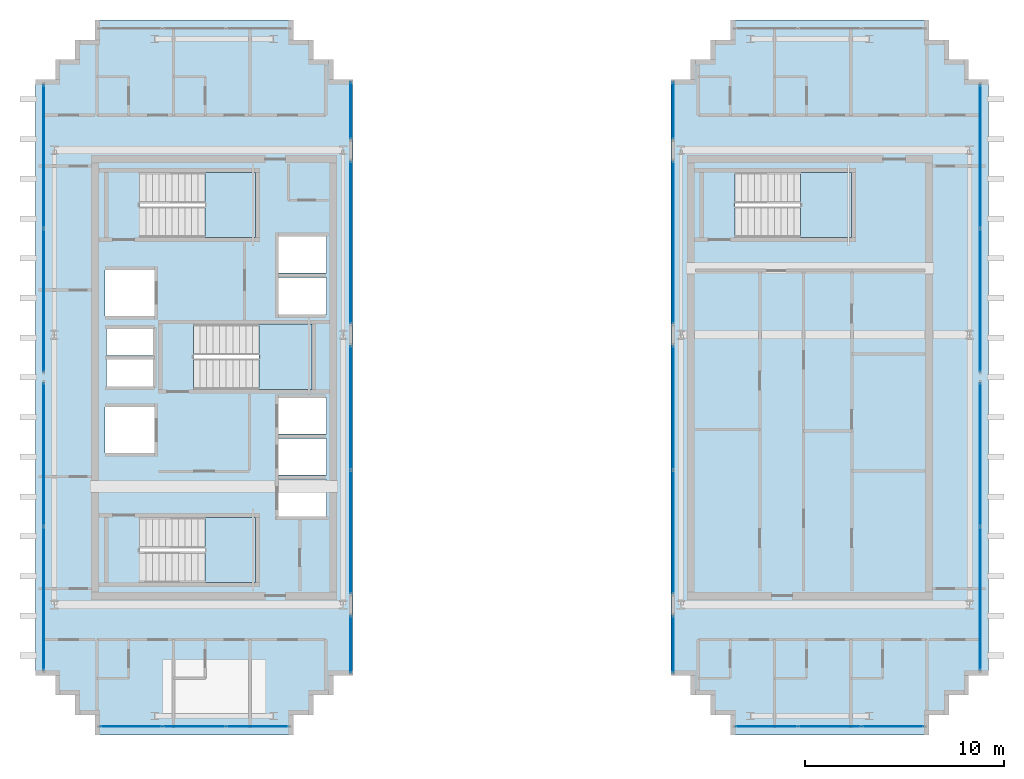
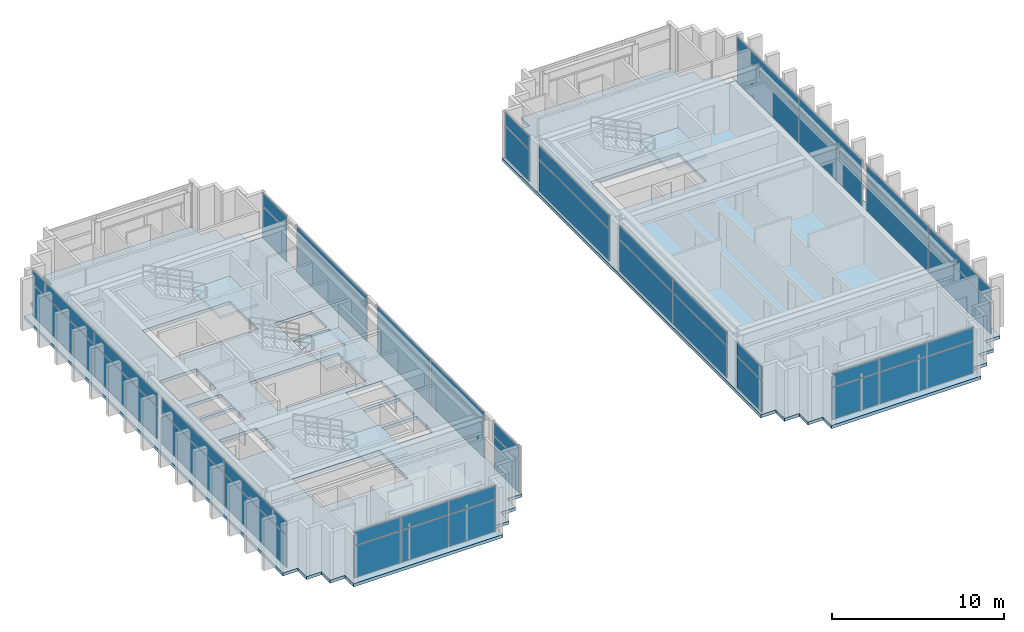
# One storey, part 18 of 25: 48 plates, 6 slabs, 18 elements without a shape of their own.
"""IFC4 building model written with IfcOpenShell, lengths in metres."""

from ifc_helpers import new_model, si_unit, direction, frame, origin, origin_2d, place, context, subcontext, project, spatial, polyline, rectangle, outline, extrude, source, transform, mapped, material, layer, layer_set, type_object, element, aggregate, save


model = new_model("IFC4")

# Units and contexts
model_context = context("Model", 3, precision=1e-05, world=origin(), true_north=direction((0.0, 1.0)))
body_context = subcontext(model_context, "Body", "Model", "MODEL_VIEW")
ifc_project = project(units=[si_unit("LENGTHUNIT", "METRE"), si_unit("AREAUNIT", "SQUARE_METRE"), si_unit("VOLUMEUNIT", "CUBIC_METRE"), si_unit("PLANEANGLEUNIT", "RADIAN"), si_unit("MASSUNIT", "GRAM", prefix="KILO")], contexts=[model_context])

# Site, building, storey
site_placement = place(None, origin())
site = spatial("IfcSite", under=ifc_project, at=site_placement, CompositionType="ELEMENT")
building_placement = place(site_placement, origin())
building = spatial("IfcBuilding", under=site, at=building_placement, Name="Ocotamira Hotel", CompositionType="ELEMENT")
storey_placement = place(building_placement, frame((0.0, 0.0, 265.199951171875)))
storey = spatial("IfcBuildingStorey", under=building, at=storey_placement, Name="L67", CompositionType="ELEMENT", Elevation=265.199951171875)

# Stair, slab
ifc_material_1 = material(Name="Concrete C40/50", Category="concrete")
stair_type = type_object("IfcStairType", Name="ST-CORE-1560", PredefinedType="HALF_TURN_STAIR", material=ifc_material_1)
stair_1_placement = place(storey_placement, origin())
stair_1 = element("IfcStair", 1, at=stair_1_placement, inside=storey, type_object=stair_type, Name="L67 Exit Stair ST-1", PredefinedType="HALF_TURN_STAIR")
ifc_layer_1 = layer(ifc_material_1, 0.199951171875)
ifc_layer_set_1 = layer_set([ifc_layer_1], Name="Concrete C40/50")
slab_type_1 = type_object("IfcSlabType", Name="SLB-LAND-200", PredefinedType="LANDING", material=ifc_layer_set_1)
slab_1_placement = place(storey_placement, frame((0.0, 0.0, 1.60009765625)))
slab_1 = element("IfcSlab", 2, at=slab_1_placement, type_object=slab_type_1, Name="ST-1 landing 1", PredefinedType="LANDING", context=body_context, shape_type="SweptSolid", body=[
    extrude(outline(polyline([(16.530029296875, 15.669921875), (19.090087890625, 15.669921875), (19.090087890625, 18.949951171875), (16.530029296875, 18.949951171875), (16.530029296875, 15.669921875)])), origin(), (0.0, 0.0, 1.0), 0.199951171875),
])
aggregate(stair_1, [slab_1])

stair_2_placement = place(storey_placement, origin())
stair_2 = element("IfcStair", 3, at=stair_2_placement, inside=storey, type_object=stair_type, Name="L67 Exit Stair ST-2", PredefinedType="HALF_TURN_STAIR")
slab_2_placement = place(storey_placement, frame((0.0, 0.0, 1.60009765625)))
slab_2 = element("IfcSlab", 4, at=slab_2_placement, type_object=slab_type_1, Name="ST-2 landing 1", PredefinedType="LANDING", context=body_context, shape_type="SweptSolid", body=[
    extrude(outline(polyline([(16.530029296875, 33.050048828125), (19.090087890625, 33.050048828125), (19.090087890625, 36.330078125), (16.530029296875, 36.330078125), (16.530029296875, 33.050048828125)])), origin(), (0.0, 0.0, 1.0), 0.199951171875),
])
aggregate(stair_2, [slab_2])

stair_3_placement = place(storey_placement, origin())
stair_3 = element("IfcStair", 5, at=stair_3_placement, inside=storey, type_object=stair_type, Name="L67 Exit Stair ST-3", PredefinedType="HALF_TURN_STAIR")
slab_3_placement = place(storey_placement, frame((0.0, 0.0, 1.60009765625)))
slab_3 = element("IfcSlab", 6, at=slab_3_placement, type_object=slab_type_1, Name="ST-3 landing 1", PredefinedType="LANDING", context=body_context, shape_type="SweptSolid", body=[
    extrude(outline(polyline([(19.260009765625, 25.39990234375), (21.919921875, 25.39990234375), (21.919921875, 28.679931640625), (19.260009765625, 28.679931640625), (19.260009765625, 25.39990234375)])), origin(), (0.0, 0.0, 1.0), 0.199951171875),
])
aggregate(stair_3, [slab_3])

stair_4_placement = place(storey_placement, origin())
stair_4 = element("IfcStair", 7, at=stair_4_placement, inside=storey, type_object=stair_type, Name="L67 Exit Stair ST-4", PredefinedType="HALF_TURN_STAIR")
slab_4_placement = place(storey_placement, frame((0.0, 0.0, 1.60009765625)))
slab_4 = element("IfcSlab", 8, at=slab_4_placement, type_object=slab_type_1, Name="ST-4 landing 1", PredefinedType="LANDING", context=body_context, shape_type="SweptSolid", body=[
    extrude(outline(polyline([(46.530029296875, 33.050048828125), (49.090087890625, 33.050048828125), (49.090087890625, 36.330078125), (46.530029296875, 36.330078125), (46.530029296875, 33.050048828125)])), origin(), (0.0, 0.0, 1.0), 0.199951171875),
])
aggregate(stair_4, [slab_4])

# Slabs
ifc_layer_2 = layer(ifc_material_1, 0.219970703125)
ifc_layer_set_2 = layer_set([ifc_layer_2], Name="Concrete C40/50")
slab_type_2 = type_object("IfcSlabType", Name="SLB-UPP-220", PredefinedType="FLOOR", material=ifc_layer_set_2)
slab_5_placement = place(storey_placement, frame((0.0, 0.0, -0.219970703125)))
element("IfcSlab", 9, at=slab_5_placement, inside=storey, type_object=slab_type_2, Name="L67 Structural Floor Slab-P1", PredefinedType="FLOOR", context=body_context, shape_type="SweptSolid", body=[
    extrude(outline(polyline([(11.0, 8.0), (21.0, 8.0), (21.0, 9.0), (22.0, 9.0), (22.0, 10.0), (23.0, 10.0), (23.0, 11.0), (24.0, 11.0), (24.0, 41.0), (23.0, 41.0), (23.0, 42.0), (22.0, 42.0), (22.0, 43.0), (21.0, 43.0), (21.0, 44.0), (11.0, 44.0), (11.0, 43.0), (10.0, 43.0), (10.0, 42.0), (9.0, 42.0), (9.0, 41.0), (8.0, 41.0), (8.0, 11.0), (9.0, 11.0), (9.0, 10.0), (10.0, 10.0), (10.0, 9.0), (11.0, 9.0), (11.0, 8.0)]), holes=[polyline([(13.22998046875, 15.669921875), (19.090087890625, 15.669921875), (19.090087890625, 18.949951171875), (13.22998046875, 18.949951171875), (13.22998046875, 15.669921875)]), polyline([(13.22998046875, 33.050048828125), (19.090087890625, 33.050048828125), (19.090087890625, 36.330078125), (13.22998046875, 36.330078125), (13.22998046875, 33.050048828125)]), polyline([(15.9599609375, 25.39990234375), (21.919921875, 25.39990234375), (21.919921875, 28.679931640625), (15.9599609375, 28.679931640625), (15.9599609375, 25.39990234375)]), polyline([(20.25, 19.0), (22.659912109375, 19.0), (22.659912109375, 20.85009765625), (20.25, 20.85009765625), (20.25, 19.0)]), polyline([(20.25, 21.080078125), (22.659912109375, 21.080078125), (22.659912109375, 22.929931640625), (20.25, 22.929931640625), (20.25, 21.080078125)]), polyline([(20.25, 23.159912109375), (22.659912109375, 23.159912109375), (22.659912109375, 24.9599609375), (20.25, 24.9599609375), (20.25, 23.159912109375)]), polyline([(20.25, 29.179931640625), (22.659912109375, 29.179931640625), (22.659912109375, 31.030029296875), (20.25, 31.030029296875), (20.25, 29.179931640625)]), polyline([(20.25, 31.260009765625), (22.659912109375, 31.260009765625), (22.659912109375, 33.110107421875), (20.25, 33.110107421875), (20.25, 31.260009765625)]), polyline([(11.5, 22.199951171875), (14.0, 22.199951171875), (14.0, 24.5), (11.5, 24.5), (11.5, 22.199951171875)]), polyline([(11.5, 29.10009765625), (14.0, 29.10009765625), (14.0, 31.39990234375), (11.5, 31.39990234375), (11.5, 29.10009765625)]), polyline([(11.580078125, 25.550048828125), (13.919921875, 25.550048828125), (13.919921875, 26.89990234375), (11.580078125, 26.89990234375), (11.580078125, 25.550048828125)]), polyline([(11.580078125, 27.10009765625), (13.919921875, 27.10009765625), (13.919921875, 28.449951171875), (11.580078125, 28.449951171875), (11.580078125, 27.10009765625)])]), origin(), (0.0, 0.0, 1.0), 0.219970703125),
])
slab_6_placement = place(storey_placement, frame((0.0, 0.0, -0.219970703125)))
element("IfcSlab", 10, at=slab_6_placement, inside=storey, type_object=slab_type_2, Name="L67 Structural Floor Slab-P2", PredefinedType="FLOOR", context=body_context, shape_type="SweptSolid", body=[
    extrude(outline(polyline([(43.0, 8.0), (53.0, 8.0), (53.0, 9.0), (54.0, 9.0), (54.0, 10.0), (55.0, 10.0), (55.0, 11.0), (56.0, 11.0), (56.0, 41.0), (55.0, 41.0), (55.0, 42.0), (54.0, 42.0), (54.0, 43.0), (53.0, 43.0), (53.0, 44.0), (43.0, 44.0), (43.0, 43.0), (42.0, 43.0), (42.0, 42.0), (41.0, 42.0), (41.0, 41.0), (40.0, 41.0), (40.0, 11.0), (41.0, 11.0), (41.0, 10.0), (42.0, 10.0), (42.0, 9.0), (43.0, 9.0), (43.0, 8.0)]), holes=[polyline([(43.22998046875, 33.050048828125), (49.090087890625, 33.050048828125), (49.090087890625, 36.330078125), (43.22998046875, 36.330078125), (43.22998046875, 33.050048828125)])]), origin(), (0.0, 0.0, 1.0), 0.219970703125),
])

# Curtain wall, plates
ifc_material_2 = material(Name="Anodised pale-metal aluminium and solar glass", Category="aluminium")
ifc_layer_3 = layer(ifc_material_2, 0.2099609375)
ifc_layer_set_3 = layer_set([ifc_layer_3], Name="Anodised pale-metal aluminium and solar glass")
curtain_wall_type = type_object("IfcCurtainWallType", Name="CW-SYS7-PEAK", PredefinedType="NOTDEFINED", material=ifc_layer_set_3)
curtain_wall_1_placement = place(storey_placement, origin())
curtain_wall_1 = element("IfcCurtainWall", 11, at=curtain_wall_1_placement, inside=storey, type_object=curtain_wall_type, Name="L67 Curtain Wall CW-7 CW-L67-WS", PredefinedType="NOTDEFINED")
ifc_material_3 = material(Name="Double-silver low-E insulated solar glass", Category="glass")
ifc_layer_4 = layer(ifc_material_3, 0.031982421875)
ifc_layer_set_4 = layer_set([ifc_layer_4], Name="Double-silver low-E insulated solar glass")
plate_type = type_object("IfcPlateType", Name="CWP-VISION-32", PredefinedType="CURTAIN_PANEL", material=ifc_layer_set_4)
shared_shape_1 = source(origin(), body_context, "Body", "SweptSolid", [
    extrude(rectangle(XDim=3.080078125, YDim=0.031982421875, at=origin_2d()), origin(), (0.0, 0.0, 1.0), 2.237548828125),
])
plate_1_placement = place(storey_placement, frame((12.820068359375, 8.419921875, 0.0751953125), z_axis=(0.0, 0.0, 1.0), x_axis=(1.0, 0.0, 0.0)))
plate_1 = element("IfcPlate", 12, at=plate_1_placement, type_object=plate_type, Name="CW-7 panel 1.1", PredefinedType="CURTAIN_PANEL", context=body_context, shape_type="MappedRepresentation", body=[
    mapped(shared_shape_1, transform((0.0, 0.0, 0.0), scale=1.0)),
])
plate_2_placement = place(storey_placement, frame((19.179931640625, 8.419921875, 0.0751953125), z_axis=(0.0, 0.0, 1.0), x_axis=(1.0, 0.0, 0.0)))
plate_2 = element("IfcPlate", 13, at=plate_2_placement, type_object=plate_type, Name="CW-7 panel 3.1", PredefinedType="CURTAIN_PANEL", context=body_context, shape_type="MappedRepresentation", body=[
    mapped(shared_shape_1, transform((0.0, 0.0, 0.0), scale=1.0)),
])

curtain_wall_2_placement = place(storey_placement, origin())
curtain_wall_2 = element("IfcCurtainWall", 14, at=curtain_wall_2_placement, inside=storey, type_object=curtain_wall_type, Name="L67 Curtain Wall CW-7 CW-L67-ES", PredefinedType="NOTDEFINED")
plate_3_placement = place(storey_placement, frame((44.820068359375, 8.419921875, 0.0751953125), z_axis=(0.0, 0.0, 1.0), x_axis=(1.0, 0.0, 0.0)))
plate_3 = element("IfcPlate", 15, at=plate_3_placement, type_object=plate_type, Name="CW-7 panel 1.1", PredefinedType="CURTAIN_PANEL", context=body_context, shape_type="MappedRepresentation", body=[
    mapped(shared_shape_1, transform((0.0, 0.0, 0.0), scale=1.0)),
])
plate_4_placement = place(storey_placement, frame((51.179931640625, 8.419921875, 0.0751953125), z_axis=(0.0, 0.0, 1.0), x_axis=(1.0, 0.0, 0.0)))
plate_4 = element("IfcPlate", 16, at=plate_4_placement, type_object=plate_type, Name="CW-7 panel 3.1", PredefinedType="CURTAIN_PANEL", context=body_context, shape_type="MappedRepresentation", body=[
    mapped(shared_shape_1, transform((0.0, 0.0, 0.0), scale=1.0)),
])

# Plate
shared_shape_2 = source(origin(), body_context, "Body", "SweptSolid", [
    extrude(rectangle(XDim=3.080078125, YDim=0.031982421875, at=origin_2d()), origin(), (0.0, 0.0, 1.0), 0.91748046875),
])
plate_5_placement = place(storey_placement, frame((12.820068359375, 8.419921875, 2.387451171875), z_axis=(0.0, 0.0, 1.0), x_axis=(1.0, 0.0, 0.0)))
plate_5 = element("IfcPlate", 17, at=plate_5_placement, type_object=plate_type, Name="CW-7 panel 1.2", PredefinedType="CURTAIN_PANEL", context=body_context, shape_type="MappedRepresentation", body=[
    mapped(shared_shape_2, transform((0.0, 0.0, 0.0), scale=1.0)),
])

plate_6_placement = place(storey_placement, frame((19.179931640625, 8.419921875, 2.387451171875), z_axis=(0.0, 0.0, 1.0), x_axis=(1.0, 0.0, 0.0)))
plate_6 = element("IfcPlate", 18, at=plate_6_placement, type_object=plate_type, Name="CW-7 panel 3.2", PredefinedType="CURTAIN_PANEL", context=body_context, shape_type="MappedRepresentation", body=[
    mapped(shared_shape_2, transform((0.0, 0.0, 0.0), scale=1.0)),
])

plate_7_placement = place(storey_placement, frame((44.820068359375, 8.419921875, 2.387451171875), z_axis=(0.0, 0.0, 1.0), x_axis=(1.0, 0.0, 0.0)))
plate_7 = element("IfcPlate", 19, at=plate_7_placement, type_object=plate_type, Name="CW-7 panel 1.2", PredefinedType="CURTAIN_PANEL", context=body_context, shape_type="MappedRepresentation", body=[
    mapped(shared_shape_2, transform((0.0, 0.0, 0.0), scale=1.0)),
])

plate_8_placement = place(storey_placement, frame((51.179931640625, 8.419921875, 2.387451171875), z_axis=(0.0, 0.0, 1.0), x_axis=(1.0, 0.0, 0.0)))
plate_8 = element("IfcPlate", 20, at=plate_8_placement, type_object=plate_type, Name="CW-7 panel 3.2", PredefinedType="CURTAIN_PANEL", context=body_context, shape_type="MappedRepresentation", body=[
    mapped(shared_shape_2, transform((0.0, 0.0, 0.0), scale=1.0)),
])

shared_shape_3 = source(origin(), body_context, "Body", "SweptSolid", [
    extrude(rectangle(XDim=3.1201171875, YDim=0.031982421875, at=origin_2d()), origin(), (0.0, 0.0, 1.0), 2.237548828125),
])
plate_9_placement = place(storey_placement, frame((16.0, 8.419921875, 0.0751953125), z_axis=(0.0, 0.0, 1.0), x_axis=(1.0, 0.0, 0.0)))
plate_9 = element("IfcPlate", 21, at=plate_9_placement, type_object=plate_type, Name="CW-7 panel 2.1", PredefinedType="CURTAIN_PANEL", context=body_context, shape_type="MappedRepresentation", body=[
    mapped(shared_shape_3, transform((0.0, 0.0, 0.0), scale=1.0)),
])

plate_10_placement = place(storey_placement, frame((48.0, 8.419921875, 0.0751953125), z_axis=(0.0, 0.0, 1.0), x_axis=(1.0, 0.0, 0.0)))
plate_10 = element("IfcPlate", 22, at=plate_10_placement, type_object=plate_type, Name="CW-7 panel 2.1", PredefinedType="CURTAIN_PANEL", context=body_context, shape_type="MappedRepresentation", body=[
    mapped(shared_shape_3, transform((0.0, 0.0, 0.0), scale=1.0)),
])

shared_shape_4 = source(origin(), body_context, "Body", "SweptSolid", [
    extrude(rectangle(XDim=3.1201171875, YDim=0.031982421875, at=origin_2d()), origin(), (0.0, 0.0, 1.0), 0.91748046875),
])
plate_11_placement = place(storey_placement, frame((16.0, 8.419921875, 2.387451171875), z_axis=(0.0, 0.0, 1.0), x_axis=(1.0, 0.0, 0.0)))
plate_11 = element("IfcPlate", 23, at=plate_11_placement, type_object=plate_type, Name="CW-7 panel 2.2", PredefinedType="CURTAIN_PANEL", context=body_context, shape_type="MappedRepresentation", body=[
    mapped(shared_shape_4, transform((0.0, 0.0, 0.0), scale=1.0)),
])

aggregate(curtain_wall_1, [plate_1, plate_5, plate_9, plate_11, plate_2, plate_6])

plate_12_placement = place(storey_placement, frame((48.0, 8.419921875, 2.387451171875), z_axis=(0.0, 0.0, 1.0), x_axis=(1.0, 0.0, 0.0)))
plate_12 = element("IfcPlate", 24, at=plate_12_placement, type_object=plate_type, Name="CW-7 panel 2.2", PredefinedType="CURTAIN_PANEL", context=body_context, shape_type="MappedRepresentation", body=[
    mapped(shared_shape_4, transform((0.0, 0.0, 0.0), scale=1.0)),
])

aggregate(curtain_wall_2, [plate_3, plate_7, plate_10, plate_12, plate_4, plate_8])

# Curtain wall, plates
curtain_wall_3_placement = place(storey_placement, origin())
curtain_wall_3 = element("IfcCurtainWall", 25, at=curtain_wall_3_placement, inside=storey, type_object=curtain_wall_type, Name="L67 Curtain Wall CW-7 CW-L67-WO1", PredefinedType="NOTDEFINED")
shared_shape_5 = source(origin(), body_context, "Body", "SweptSolid", [
    extrude(rectangle(XDim=7.179931640625, YDim=0.031982421875, at=origin_2d()), origin(), (0.0, 0.0, 1.0), 2.237548828125),
])
plate_13_placement = place(storey_placement, frame((8.419921875, 14.8701171875, 0.0751953125), z_axis=(0.0, 0.0, 1.0), x_axis=(0.0, 1.0, 0.0)))
plate_13 = element("IfcPlate", 26, at=plate_13_placement, type_object=plate_type, Name="CW-7 panel 1.1", PredefinedType="CURTAIN_PANEL", context=body_context, shape_type="MappedRepresentation", body=[
    mapped(shared_shape_5, transform((0.0, 0.0, 0.0), scale=1.0)),
])
plate_14_placement = place(storey_placement, frame((8.419921875, 22.1298828125, 0.0751953125), z_axis=(0.0, 0.0, 1.0), x_axis=(0.0, 1.0, 0.0)))
plate_14 = element("IfcPlate", 27, at=plate_14_placement, type_object=plate_type, Name="CW-7 panel 2.1", PredefinedType="CURTAIN_PANEL", context=body_context, shape_type="MappedRepresentation", body=[
    mapped(shared_shape_5, transform((0.0, 0.0, 0.0), scale=1.0)),
])

curtain_wall_4_placement = place(storey_placement, origin())
curtain_wall_4 = element("IfcCurtainWall", 28, at=curtain_wall_4_placement, inside=storey, type_object=curtain_wall_type, Name="L67 Curtain Wall CW-7 CW-L67-WO2", PredefinedType="NOTDEFINED")
plate_15_placement = place(storey_placement, frame((8.419921875, 29.8701171875, 0.0751953125), z_axis=(0.0, 0.0, 1.0), x_axis=(0.0, 1.0, 0.0)))
plate_15 = element("IfcPlate", 29, at=plate_15_placement, type_object=plate_type, Name="CW-7 panel 1.1", PredefinedType="CURTAIN_PANEL", context=body_context, shape_type="MappedRepresentation", body=[
    mapped(shared_shape_5, transform((0.0, 0.0, 0.0), scale=1.0)),
])
plate_16_placement = place(storey_placement, frame((8.419921875, 37.1298828125, 0.0751953125), z_axis=(0.0, 0.0, 1.0), x_axis=(0.0, 1.0, 0.0)))
plate_16 = element("IfcPlate", 30, at=plate_16_placement, type_object=plate_type, Name="CW-7 panel 2.1", PredefinedType="CURTAIN_PANEL", context=body_context, shape_type="MappedRepresentation", body=[
    mapped(shared_shape_5, transform((0.0, 0.0, 0.0), scale=1.0)),
])

curtain_wall_5_placement = place(storey_placement, origin())
curtain_wall_5 = element("IfcCurtainWall", 31, at=curtain_wall_5_placement, inside=storey, type_object=curtain_wall_type, Name="L67 Curtain Wall CW-7 CW-L67-EO1", PredefinedType="NOTDEFINED")
plate_17_placement = place(storey_placement, frame((55.580078125, 14.8701171875, 0.0751953125), z_axis=(0.0, 0.0, 1.0), x_axis=(0.0, 1.0, 0.0)))
plate_17 = element("IfcPlate", 32, at=plate_17_placement, type_object=plate_type, Name="CW-7 panel 1.1", PredefinedType="CURTAIN_PANEL", context=body_context, shape_type="MappedRepresentation", body=[
    mapped(shared_shape_5, transform((0.0, 0.0, 0.0), scale=1.0)),
])
plate_18_placement = place(storey_placement, frame((55.580078125, 22.1298828125, 0.0751953125), z_axis=(0.0, 0.0, 1.0), x_axis=(0.0, 1.0, 0.0)))
plate_18 = element("IfcPlate", 33, at=plate_18_placement, type_object=plate_type, Name="CW-7 panel 2.1", PredefinedType="CURTAIN_PANEL", context=body_context, shape_type="MappedRepresentation", body=[
    mapped(shared_shape_5, transform((0.0, 0.0, 0.0), scale=1.0)),
])

curtain_wall_6_placement = place(storey_placement, origin())
curtain_wall_6 = element("IfcCurtainWall", 34, at=curtain_wall_6_placement, inside=storey, type_object=curtain_wall_type, Name="L67 Curtain Wall CW-7 CW-L67-EO2", PredefinedType="NOTDEFINED")
plate_19_placement = place(storey_placement, frame((55.580078125, 29.8701171875, 0.0751953125), z_axis=(0.0, 0.0, 1.0), x_axis=(0.0, 1.0, 0.0)))
plate_19 = element("IfcPlate", 35, at=plate_19_placement, type_object=plate_type, Name="CW-7 panel 1.1", PredefinedType="CURTAIN_PANEL", context=body_context, shape_type="MappedRepresentation", body=[
    mapped(shared_shape_5, transform((0.0, 0.0, 0.0), scale=1.0)),
])
plate_20_placement = place(storey_placement, frame((55.580078125, 37.1298828125, 0.0751953125), z_axis=(0.0, 0.0, 1.0), x_axis=(0.0, 1.0, 0.0)))
plate_20 = element("IfcPlate", 36, at=plate_20_placement, type_object=plate_type, Name="CW-7 panel 2.1", PredefinedType="CURTAIN_PANEL", context=body_context, shape_type="MappedRepresentation", body=[
    mapped(shared_shape_5, transform((0.0, 0.0, 0.0), scale=1.0)),
])

# Plate
shared_shape_6 = source(origin(), body_context, "Body", "SweptSolid", [
    extrude(rectangle(XDim=7.179931640625, YDim=0.031982421875, at=origin_2d()), origin(), (0.0, 0.0, 1.0), 0.91748046875),
])
plate_21_placement = place(storey_placement, frame((8.419921875, 14.8701171875, 2.387451171875), z_axis=(0.0, 0.0, 1.0), x_axis=(0.0, 1.0, 0.0)))
plate_21 = element("IfcPlate", 37, at=plate_21_placement, type_object=plate_type, Name="CW-7 panel 1.2", PredefinedType="CURTAIN_PANEL", context=body_context, shape_type="MappedRepresentation", body=[
    mapped(shared_shape_6, transform((0.0, 0.0, 0.0), scale=1.0)),
])

plate_22_placement = place(storey_placement, frame((8.419921875, 22.1298828125, 2.387451171875), z_axis=(0.0, 0.0, 1.0), x_axis=(0.0, 1.0, 0.0)))
plate_22 = element("IfcPlate", 38, at=plate_22_placement, type_object=plate_type, Name="CW-7 panel 2.2", PredefinedType="CURTAIN_PANEL", context=body_context, shape_type="MappedRepresentation", body=[
    mapped(shared_shape_6, transform((0.0, 0.0, 0.0), scale=1.0)),
])

aggregate(curtain_wall_3, [plate_13, plate_21, plate_14, plate_22])

plate_23_placement = place(storey_placement, frame((8.419921875, 29.8701171875, 2.387451171875), z_axis=(0.0, 0.0, 1.0), x_axis=(0.0, 1.0, 0.0)))
plate_23 = element("IfcPlate", 39, at=plate_23_placement, type_object=plate_type, Name="CW-7 panel 1.2", PredefinedType="CURTAIN_PANEL", context=body_context, shape_type="MappedRepresentation", body=[
    mapped(shared_shape_6, transform((0.0, 0.0, 0.0), scale=1.0)),
])

plate_24_placement = place(storey_placement, frame((8.419921875, 37.1298828125, 2.387451171875), z_axis=(0.0, 0.0, 1.0), x_axis=(0.0, 1.0, 0.0)))
plate_24 = element("IfcPlate", 40, at=plate_24_placement, type_object=plate_type, Name="CW-7 panel 2.2", PredefinedType="CURTAIN_PANEL", context=body_context, shape_type="MappedRepresentation", body=[
    mapped(shared_shape_6, transform((0.0, 0.0, 0.0), scale=1.0)),
])

aggregate(curtain_wall_4, [plate_15, plate_23, plate_16, plate_24])

plate_25_placement = place(storey_placement, frame((55.580078125, 14.8701171875, 2.387451171875), z_axis=(0.0, 0.0, 1.0), x_axis=(0.0, 1.0, 0.0)))
plate_25 = element("IfcPlate", 41, at=plate_25_placement, type_object=plate_type, Name="CW-7 panel 1.2", PredefinedType="CURTAIN_PANEL", context=body_context, shape_type="MappedRepresentation", body=[
    mapped(shared_shape_6, transform((0.0, 0.0, 0.0), scale=1.0)),
])

plate_26_placement = place(storey_placement, frame((55.580078125, 22.1298828125, 2.387451171875), z_axis=(0.0, 0.0, 1.0), x_axis=(0.0, 1.0, 0.0)))
plate_26 = element("IfcPlate", 42, at=plate_26_placement, type_object=plate_type, Name="CW-7 panel 2.2", PredefinedType="CURTAIN_PANEL", context=body_context, shape_type="MappedRepresentation", body=[
    mapped(shared_shape_6, transform((0.0, 0.0, 0.0), scale=1.0)),
])

aggregate(curtain_wall_5, [plate_17, plate_25, plate_18, plate_26])

plate_27_placement = place(storey_placement, frame((55.580078125, 29.8701171875, 2.387451171875), z_axis=(0.0, 0.0, 1.0), x_axis=(0.0, 1.0, 0.0)))
plate_27 = element("IfcPlate", 43, at=plate_27_placement, type_object=plate_type, Name="CW-7 panel 1.2", PredefinedType="CURTAIN_PANEL", context=body_context, shape_type="MappedRepresentation", body=[
    mapped(shared_shape_6, transform((0.0, 0.0, 0.0), scale=1.0)),
])

plate_28_placement = place(storey_placement, frame((55.580078125, 37.1298828125, 2.387451171875), z_axis=(0.0, 0.0, 1.0), x_axis=(0.0, 1.0, 0.0)))
plate_28 = element("IfcPlate", 44, at=plate_28_placement, type_object=plate_type, Name="CW-7 panel 2.2", PredefinedType="CURTAIN_PANEL", context=body_context, shape_type="MappedRepresentation", body=[
    mapped(shared_shape_6, transform((0.0, 0.0, 0.0), scale=1.0)),
])

aggregate(curtain_wall_6, [plate_19, plate_27, plate_20, plate_28])

# Curtain wall, plate
curtain_wall_7_placement = place(storey_placement, origin())
curtain_wall_7 = element("IfcCurtainWall", 45, at=curtain_wall_7_placement, inside=storey, type_object=curtain_wall_type, Name="L67 Curtain Wall CW-7 CW-L67-WI1", PredefinedType="NOTDEFINED")
shared_shape_7 = source(origin(), body_context, "Body", "SweptSolid", [
    extrude(rectangle(XDim=2.840087890625, YDim=0.031982421875, at=origin_2d()), origin(), (0.0, 0.0, 1.0), 2.237548828125),
])
plate_29_placement = place(storey_placement, frame((23.8798828125, 12.550048828125, 0.0751953125), z_axis=(0.0, 0.0, 1.0), x_axis=(0.0, 1.0, 0.0)))
plate_29 = element("IfcPlate", 46, at=plate_29_placement, type_object=plate_type, Name="CW-7 panel 1.1", PredefinedType="CURTAIN_PANEL", context=body_context, shape_type="MappedRepresentation", body=[
    mapped(shared_shape_7, transform((0.0, 0.0, 0.0), scale=1.0)),
])

curtain_wall_8_placement = place(storey_placement, origin())
curtain_wall_8 = element("IfcCurtainWall", 47, at=curtain_wall_8_placement, inside=storey, type_object=curtain_wall_type, Name="L67 Curtain Wall CW-7 CW-L67-WI4", PredefinedType="NOTDEFINED")
plate_30_placement = place(storey_placement, frame((23.8798828125, 39.449951171875, 0.0751953125), z_axis=(0.0, 0.0, 1.0), x_axis=(0.0, 1.0, 0.0)))
plate_30 = element("IfcPlate", 48, at=plate_30_placement, type_object=plate_type, Name="CW-7 panel 1.1", PredefinedType="CURTAIN_PANEL", context=body_context, shape_type="MappedRepresentation", body=[
    mapped(shared_shape_7, transform((0.0, 0.0, 0.0), scale=1.0)),
])

curtain_wall_9_placement = place(storey_placement, origin())
curtain_wall_9 = element("IfcCurtainWall", 49, at=curtain_wall_9_placement, inside=storey, type_object=curtain_wall_type, Name="L67 Curtain Wall CW-7 CW-L67-EI1", PredefinedType="NOTDEFINED")
plate_31_placement = place(storey_placement, frame((40.1201171875, 12.550048828125, 0.0751953125), z_axis=(0.0, 0.0, 1.0), x_axis=(0.0, 1.0, 0.0)))
plate_31 = element("IfcPlate", 50, at=plate_31_placement, type_object=plate_type, Name="CW-7 panel 1.1", PredefinedType="CURTAIN_PANEL", context=body_context, shape_type="MappedRepresentation", body=[
    mapped(shared_shape_7, transform((0.0, 0.0, 0.0), scale=1.0)),
])

curtain_wall_10_placement = place(storey_placement, origin())
curtain_wall_10 = element("IfcCurtainWall", 51, at=curtain_wall_10_placement, inside=storey, type_object=curtain_wall_type, Name="L67 Curtain Wall CW-7 CW-L67-EI4", PredefinedType="NOTDEFINED")
plate_32_placement = place(storey_placement, frame((40.1201171875, 39.449951171875, 0.0751953125), z_axis=(0.0, 0.0, 1.0), x_axis=(0.0, 1.0, 0.0)))
plate_32 = element("IfcPlate", 52, at=plate_32_placement, type_object=plate_type, Name="CW-7 panel 1.1", PredefinedType="CURTAIN_PANEL", context=body_context, shape_type="MappedRepresentation", body=[
    mapped(shared_shape_7, transform((0.0, 0.0, 0.0), scale=1.0)),
])

# Plate
shared_shape_8 = source(origin(), body_context, "Body", "SweptSolid", [
    extrude(rectangle(XDim=2.840087890625, YDim=0.031982421875, at=origin_2d()), origin(), (0.0, 0.0, 1.0), 0.91748046875),
])
plate_33_placement = place(storey_placement, frame((23.8798828125, 12.550048828125, 2.387451171875), z_axis=(0.0, 0.0, 1.0), x_axis=(0.0, 1.0, 0.0)))
plate_33 = element("IfcPlate", 53, at=plate_33_placement, type_object=plate_type, Name="CW-7 panel 1.2", PredefinedType="CURTAIN_PANEL", context=body_context, shape_type="MappedRepresentation", body=[
    mapped(shared_shape_8, transform((0.0, 0.0, 0.0), scale=1.0)),
])

aggregate(curtain_wall_7, [plate_29, plate_33])

plate_34_placement = place(storey_placement, frame((23.8798828125, 39.449951171875, 2.387451171875), z_axis=(0.0, 0.0, 1.0), x_axis=(0.0, 1.0, 0.0)))
plate_34 = element("IfcPlate", 54, at=plate_34_placement, type_object=plate_type, Name="CW-7 panel 1.2", PredefinedType="CURTAIN_PANEL", context=body_context, shape_type="MappedRepresentation", body=[
    mapped(shared_shape_8, transform((0.0, 0.0, 0.0), scale=1.0)),
])

aggregate(curtain_wall_8, [plate_30, plate_34])

plate_35_placement = place(storey_placement, frame((40.1201171875, 12.550048828125, 2.387451171875), z_axis=(0.0, 0.0, 1.0), x_axis=(0.0, 1.0, 0.0)))
plate_35 = element("IfcPlate", 55, at=plate_35_placement, type_object=plate_type, Name="CW-7 panel 1.2", PredefinedType="CURTAIN_PANEL", context=body_context, shape_type="MappedRepresentation", body=[
    mapped(shared_shape_8, transform((0.0, 0.0, 0.0), scale=1.0)),
])

aggregate(curtain_wall_9, [plate_31, plate_35])

plate_36_placement = place(storey_placement, frame((40.1201171875, 39.449951171875, 2.387451171875), z_axis=(0.0, 0.0, 1.0), x_axis=(0.0, 1.0, 0.0)))
plate_36 = element("IfcPlate", 56, at=plate_36_placement, type_object=plate_type, Name="CW-7 panel 1.2", PredefinedType="CURTAIN_PANEL", context=body_context, shape_type="MappedRepresentation", body=[
    mapped(shared_shape_8, transform((0.0, 0.0, 0.0), scale=1.0)),
])

aggregate(curtain_wall_10, [plate_32, plate_36])

# Curtain wall, plates
curtain_wall_11_placement = place(storey_placement, origin())
curtain_wall_11 = element("IfcCurtainWall", 57, at=curtain_wall_11_placement, inside=storey, type_object=curtain_wall_type, Name="L67 Curtain Wall CW-7 CW-L67-WI2", PredefinedType="NOTDEFINED")
shared_shape_9 = source(origin(), body_context, "Body", "SweptSolid", [
    extrude(rectangle(XDim=6.179931640625, YDim=0.031982421875, at=origin_2d()), origin(), (0.0, 0.0, 1.0), 2.237548828125),
])
plate_37_placement = place(storey_placement, frame((23.8798828125, 18.219970703125, 0.0751953125), z_axis=(0.0, 0.0, 1.0), x_axis=(0.0, 1.0, 0.0)))
plate_37 = element("IfcPlate", 58, at=plate_37_placement, type_object=plate_type, Name="CW-7 panel 1.1", PredefinedType="CURTAIN_PANEL", context=body_context, shape_type="MappedRepresentation", body=[
    mapped(shared_shape_9, transform((0.0, 0.0, 0.0), scale=1.0)),
])
plate_38_placement = place(storey_placement, frame((23.8798828125, 24.47998046875, 0.0751953125), z_axis=(0.0, 0.0, 1.0), x_axis=(0.0, 1.0, 0.0)))
plate_38 = element("IfcPlate", 59, at=plate_38_placement, type_object=plate_type, Name="CW-7 panel 2.1", PredefinedType="CURTAIN_PANEL", context=body_context, shape_type="MappedRepresentation", body=[
    mapped(shared_shape_9, transform((0.0, 0.0, 0.0), scale=1.0)),
])

curtain_wall_12_placement = place(storey_placement, origin())
curtain_wall_12 = element("IfcCurtainWall", 60, at=curtain_wall_12_placement, inside=storey, type_object=curtain_wall_type, Name="L67 Curtain Wall CW-7 CW-L67-EI2", PredefinedType="NOTDEFINED")
plate_39_placement = place(storey_placement, frame((40.1201171875, 18.219970703125, 0.0751953125), z_axis=(0.0, 0.0, 1.0), x_axis=(0.0, 1.0, 0.0)))
plate_39 = element("IfcPlate", 61, at=plate_39_placement, type_object=plate_type, Name="CW-7 panel 1.1", PredefinedType="CURTAIN_PANEL", context=body_context, shape_type="MappedRepresentation", body=[
    mapped(shared_shape_9, transform((0.0, 0.0, 0.0), scale=1.0)),
])
plate_40_placement = place(storey_placement, frame((40.1201171875, 24.47998046875, 0.0751953125), z_axis=(0.0, 0.0, 1.0), x_axis=(0.0, 1.0, 0.0)))
plate_40 = element("IfcPlate", 62, at=plate_40_placement, type_object=plate_type, Name="CW-7 panel 2.1", PredefinedType="CURTAIN_PANEL", context=body_context, shape_type="MappedRepresentation", body=[
    mapped(shared_shape_9, transform((0.0, 0.0, 0.0), scale=1.0)),
])

# Plate
shared_shape_10 = source(origin(), body_context, "Body", "SweptSolid", [
    extrude(rectangle(XDim=6.179931640625, YDim=0.031982421875, at=origin_2d()), origin(), (0.0, 0.0, 1.0), 0.91748046875),
])
plate_41_placement = place(storey_placement, frame((23.8798828125, 18.219970703125, 2.387451171875), z_axis=(0.0, 0.0, 1.0), x_axis=(0.0, 1.0, 0.0)))
plate_41 = element("IfcPlate", 63, at=plate_41_placement, type_object=plate_type, Name="CW-7 panel 1.2", PredefinedType="CURTAIN_PANEL", context=body_context, shape_type="MappedRepresentation", body=[
    mapped(shared_shape_10, transform((0.0, 0.0, 0.0), scale=1.0)),
])

plate_42_placement = place(storey_placement, frame((23.8798828125, 24.47998046875, 2.387451171875), z_axis=(0.0, 0.0, 1.0), x_axis=(0.0, 1.0, 0.0)))
plate_42 = element("IfcPlate", 64, at=plate_42_placement, type_object=plate_type, Name="CW-7 panel 2.2", PredefinedType="CURTAIN_PANEL", context=body_context, shape_type="MappedRepresentation", body=[
    mapped(shared_shape_10, transform((0.0, 0.0, 0.0), scale=1.0)),
])

aggregate(curtain_wall_11, [plate_37, plate_41, plate_38, plate_42])

plate_43_placement = place(storey_placement, frame((40.1201171875, 18.219970703125, 2.387451171875), z_axis=(0.0, 0.0, 1.0), x_axis=(0.0, 1.0, 0.0)))
plate_43 = element("IfcPlate", 65, at=plate_43_placement, type_object=plate_type, Name="CW-7 panel 1.2", PredefinedType="CURTAIN_PANEL", context=body_context, shape_type="MappedRepresentation", body=[
    mapped(shared_shape_10, transform((0.0, 0.0, 0.0), scale=1.0)),
])

plate_44_placement = place(storey_placement, frame((40.1201171875, 24.47998046875, 2.387451171875), z_axis=(0.0, 0.0, 1.0), x_axis=(0.0, 1.0, 0.0)))
plate_44 = element("IfcPlate", 66, at=plate_44_placement, type_object=plate_type, Name="CW-7 panel 2.2", PredefinedType="CURTAIN_PANEL", context=body_context, shape_type="MappedRepresentation", body=[
    mapped(shared_shape_10, transform((0.0, 0.0, 0.0), scale=1.0)),
])

aggregate(curtain_wall_12, [plate_39, plate_43, plate_40, plate_44])

# Curtain wall, plate
curtain_wall_13_placement = place(storey_placement, origin())
curtain_wall_13 = element("IfcCurtainWall", 67, at=curtain_wall_13_placement, inside=storey, type_object=curtain_wall_type, Name="L67 Curtain Wall CW-7 CW-L67-WI3", PredefinedType="NOTDEFINED")
shared_shape_11 = source(origin(), body_context, "Body", "SweptSolid", [
    extrude(rectangle(XDim=8.139892578125, YDim=0.031982421875, at=origin_2d()), origin(), (0.0, 0.0, 1.0), 2.237548828125),
])
plate_45_placement = place(storey_placement, frame((23.8798828125, 32.800048828125, 0.0751953125), z_axis=(0.0, 0.0, 1.0), x_axis=(0.0, 1.0, 0.0)))
plate_45 = element("IfcPlate", 68, at=plate_45_placement, type_object=plate_type, Name="CW-7 panel 1.1", PredefinedType="CURTAIN_PANEL", context=body_context, shape_type="MappedRepresentation", body=[
    mapped(shared_shape_11, transform((0.0, 0.0, 0.0), scale=1.0)),
])

curtain_wall_14_placement = place(storey_placement, origin())
curtain_wall_14 = element("IfcCurtainWall", 69, at=curtain_wall_14_placement, inside=storey, type_object=curtain_wall_type, Name="L67 Curtain Wall CW-7 CW-L67-EI3", PredefinedType="NOTDEFINED")
plate_46_placement = place(storey_placement, frame((40.1201171875, 32.800048828125, 0.0751953125), z_axis=(0.0, 0.0, 1.0), x_axis=(0.0, 1.0, 0.0)))
plate_46 = element("IfcPlate", 70, at=plate_46_placement, type_object=plate_type, Name="CW-7 panel 1.1", PredefinedType="CURTAIN_PANEL", context=body_context, shape_type="MappedRepresentation", body=[
    mapped(shared_shape_11, transform((0.0, 0.0, 0.0), scale=1.0)),
])

# Plate
shared_shape_12 = source(origin(), body_context, "Body", "SweptSolid", [
    extrude(rectangle(XDim=8.139892578125, YDim=0.031982421875, at=origin_2d()), origin(), (0.0, 0.0, 1.0), 0.91748046875),
])
plate_47_placement = place(storey_placement, frame((23.8798828125, 32.800048828125, 2.387451171875), z_axis=(0.0, 0.0, 1.0), x_axis=(0.0, 1.0, 0.0)))
plate_47 = element("IfcPlate", 71, at=plate_47_placement, type_object=plate_type, Name="CW-7 panel 1.2", PredefinedType="CURTAIN_PANEL", context=body_context, shape_type="MappedRepresentation", body=[
    mapped(shared_shape_12, transform((0.0, 0.0, 0.0), scale=1.0)),
])

aggregate(curtain_wall_13, [plate_45, plate_47])

plate_48_placement = place(storey_placement, frame((40.1201171875, 32.800048828125, 2.387451171875), z_axis=(0.0, 0.0, 1.0), x_axis=(0.0, 1.0, 0.0)))
plate_48 = element("IfcPlate", 72, at=plate_48_placement, type_object=plate_type, Name="CW-7 panel 1.2", PredefinedType="CURTAIN_PANEL", context=body_context, shape_type="MappedRepresentation", body=[
    mapped(shared_shape_12, transform((0.0, 0.0, 0.0), scale=1.0)),
])

aggregate(curtain_wall_14, [plate_46, plate_48])

save(model, "model.ifc")
